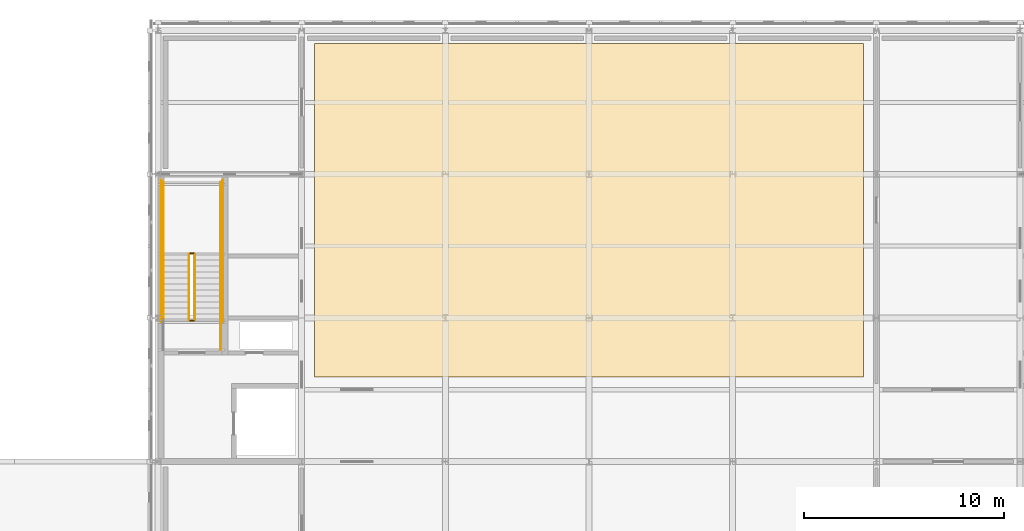
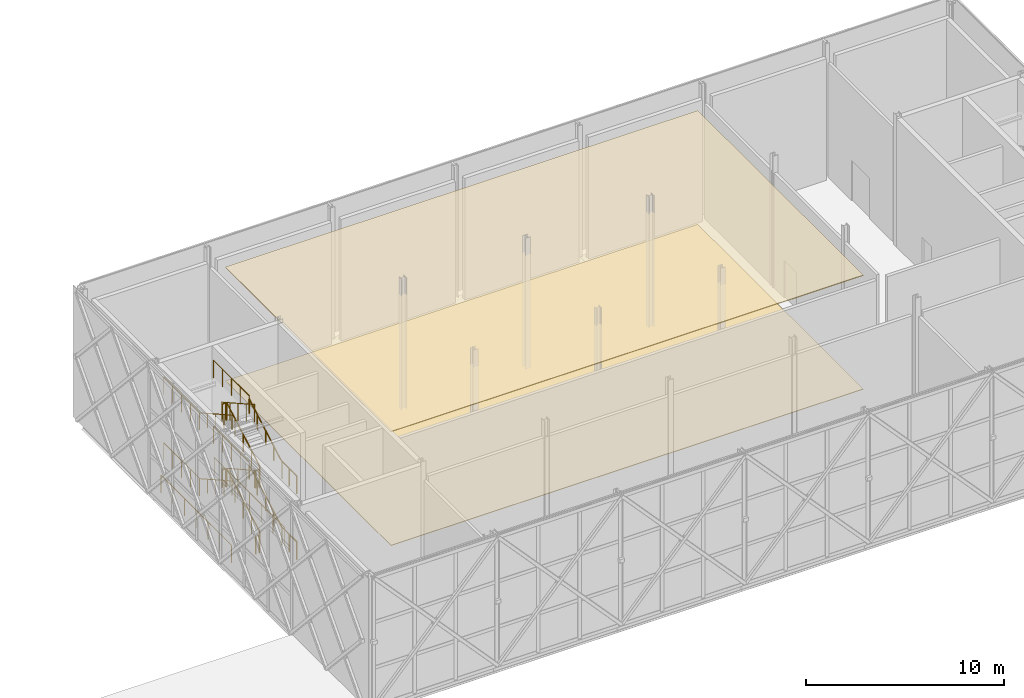
# One storey, part 75 of 76: 20 railings, 2 coverings.
"""IFC4 building model written with IfcOpenShell, lengths in metres."""

from ifc_helpers import new_model, si_unit, direction, frame, origin, origin_2d, place, context, subcontext, project, spatial, polyline, circle, outline, extrude, material, layer, layer_set, type_object, element, save


model = new_model("IFC4")

# Units and contexts
model_context = context("Model", 3, precision=1e-05, world=origin(), true_north=direction((0.0, 1.0)))
body_context = subcontext(model_context, "Body", "Model", "MODEL_VIEW")
ifc_project = project(units=[si_unit("LENGTHUNIT", "METRE"), si_unit("AREAUNIT", "SQUARE_METRE"), si_unit("VOLUMEUNIT", "CUBIC_METRE"), si_unit("PLANEANGLEUNIT", "RADIAN"), si_unit("MASSUNIT", "GRAM", prefix="KILO")], contexts=[model_context])

# Site, building, storey
site_placement = place(None, origin())
site = spatial("IfcSite", under=ifc_project, at=site_placement, CompositionType="ELEMENT")
building_placement = place(site_placement, origin())
building = spatial("IfcBuilding", under=site, at=building_placement, Name="Zlatovets Crest Museum", CompositionType="ELEMENT")
storey_placement = place(building_placement, frame((0.0, 0.0, 17.10009765625)))
storey = spatial("IfcBuildingStorey", under=building, at=storey_placement, Name="L04", CompositionType="ELEMENT", Elevation=17.10009765625)

# Coverings
ifc_material_1 = material(Name="Micro-perforated gypsum acoustic gallery ceiling")
ifc_layer_1 = layer(ifc_material_1, 0.050048828125)
ifc_layer_set_1 = layer_set([ifc_layer_1], Name="Micro-perforated gypsum acoustic gallery ceiling")
covering_type_1 = type_object("IfcCoveringType", Name="GalleryCeiling_CLG1", PredefinedType="CEILING", material=ifc_layer_set_1)
covering_1_placement = place(storey_placement, frame((0.0, 0.0, 6.989990234375)))
element("IfcCovering", 1, at=covering_1_placement, inside=storey, type_object=covering_type_1, Name="Double-Height Grand Sculpture Hall Acoustic Ceiling", PredefinedType="CEILING", context=body_context, shape_type="SweptSolid", body=[
    extrude(outline(polyline([(65.449951171875, 97.85009765625), (92.949951171875, 97.85009765625), (92.949951171875, 114.550048828125), (65.449951171875, 114.550048828125), (65.449951171875, 97.85009765625)])), origin(), (0.0, 0.0, 1.0), 0.0498046875),
])
ifc_material_2 = material(Name="Quarter-sawn European oak herringbone gallery parquet")
ifc_layer_2 = layer(ifc_material_2, 0.030029296875)
ifc_layer_set_2 = layer_set([ifc_layer_2], Name="Quarter-sawn European oak herringbone gallery parquet")
covering_type_2 = type_object("IfcCoveringType", Name="GalleryFloor_FLR1", PredefinedType="FLOORING", material=ifc_layer_set_2)
covering_2_placement = place(storey_placement, origin())
element("IfcCovering", 2, at=covering_2_placement, inside=storey, type_object=covering_type_2, Name="Double-Height Grand Sculpture Hall Floor Finish", PredefinedType="FLOORING", context=body_context, shape_type="SweptSolid", body=[
    extrude(outline(polyline([(65.449951171875, 97.85009765625), (92.949951171875, 97.85009765625), (92.949951171875, 114.550048828125), (65.449951171875, 114.550048828125), (65.449951171875, 97.85009765625)])), origin(), (0.0, 0.0, 1.0), 0.02978515625),
])

# Railings
ifc_material_3 = material(Name="Painted steel safety guardrail", Category="steel")
railing_type_1 = type_object("IfcRailingType", Name="StairGuard_SG01", PredefinedType="GUARDRAIL", material=ifc_material_3)
railing_1_placement = place(storey_placement, frame((59.449951171875, 100.699951171875, 0.168701171875)))
element("IfcRailing", 3, at=railing_1_placement, inside=storey, type_object=railing_type_1, Name="L04 ST1 stair guard 1", PredefinedType="GUARDRAIL", context=body_context, shape_type="SweptSolid", body=[
    extrude(circle(Radius=0.02392578125, at=origin_2d()), frame((0.0, 0.0, 1.076171875), z_axis=(0.0, 0.871584147158, 0.490245932592), x_axis=(-1.0, 0.0, 0.0)), (0.0, 0.0, 1.0), 3.786376953125),
    extrude(circle(Radius=0.02099609375, at=origin_2d()), origin(), (0.0, 0.0, 1.0), 1.052001953125),
    extrude(circle(Radius=0.02099609375, at=origin_2d()), frame((0.0, 0.824951171875, 0.464111328125)), (0.0, 0.0, 1.0), 1.052001953125),
    extrude(circle(Radius=0.02099609375, at=origin_2d()), frame((0.0, 1.64990234375, 0.92822265625)), (0.0, 0.0, 1.0), 1.052001953125),
    extrude(circle(Radius=0.02099609375, at=origin_2d()), frame((0.0, 2.47509765625, 1.39208984375)), (0.0, 0.0, 1.0), 1.052001953125),
    extrude(circle(Radius=0.02099609375, at=origin_2d()), frame((0.0, 3.300048828125, 1.856201171875)), (0.0, 0.0, 1.0), 1.052001953125),
])
railing_2_placement = place(storey_placement, frame((59.39990234375, 104.050048828125, 2.02490234375)))
element("IfcRailing", 4, at=railing_2_placement, inside=storey, type_object=railing_type_1, Name="L04 ST1 stair guard 2", PredefinedType="GUARDRAIL", context=body_context, shape_type="SweptSolid", body=[
    extrude(circle(Radius=0.02392578125, at=origin_2d()), frame((0.0, 0.0, 1.076171875), z_axis=(-1.0, 0.0, 0.0), x_axis=(0.0, -1.0, 0.0)), (0.0, 0.0, 1.0), 0.199951171875),
    extrude(circle(Radius=0.02099609375, at=origin_2d()), origin(), (0.0, 0.0, 1.0), 1.052001953125),
    extrude(circle(Radius=0.02099609375, at=origin_2d()), frame((-0.199951171875, 0.0, 0.0)), (0.0, 0.0, 1.0), 1.052001953125),
])
for number, where, name in (
    (5, (60.75, 104.0, 2.02490234375), "L04 ST1 stair guard 3"),
    (6, (57.85009765625, 104.0, 2.02490234375), "L04 ST1 stair guard 4"),
):
    element("IfcRailing", number, at=place(storey_placement, frame(where)), inside=storey, type_object=railing_type_1, Name=name, PredefinedType="GUARDRAIL", context=body_context, shape_type="SweptSolid", body=[
        extrude(circle(Radius=0.02392578125, at=origin_2d()), frame((0.0, 0.0, 1.076171875), z_axis=(0.0, 1.0, 0.0), x_axis=(-1.0, 0.0, 0.0)), (0.0, 0.0, 1.0), 3.60009765625),
        extrude(circle(Radius=0.02099609375, at=origin_2d()), origin(), (0.0, 0.0, 1.0), 1.052001953125),
        extrude(circle(Radius=0.02099609375, at=origin_2d()), frame((0.0, 0.89990234375, 0.0)), (0.0, 0.0, 1.0), 1.052001953125),
        extrude(circle(Radius=0.02099609375, at=origin_2d()), frame((0.0, 1.800048828125, 0.0)), (0.0, 0.0, 1.0), 1.052001953125),
        extrude(circle(Radius=0.02099609375, at=origin_2d()), frame((0.0, 2.7001953125, 0.0)), (0.0, 0.0, 1.0), 1.052001953125),
        extrude(circle(Radius=0.02099609375, at=origin_2d()), frame((0.0, 3.60009765625, 0.0)), (0.0, 0.0, 1.0), 1.052001953125),
    ])
railing_3_placement = place(storey_placement, frame((59.14990234375, 104.0, 2.193603515625)))
element("IfcRailing", 7, at=railing_3_placement, inside=storey, type_object=railing_type_1, Name="L04 ST1 stair guard 5", PredefinedType="GUARDRAIL", context=body_context, shape_type="SweptSolid", body=[
    extrude(circle(Radius=0.02392578125, at=origin_2d()), frame((0.0, 0.0, 1.076171875), z_axis=(0.0, -0.871584147158, 0.490245932592), x_axis=(1.0, 0.0, 0.0)), (0.0, 0.0, 1.0), 3.786376953125),
    extrude(circle(Radius=0.02099609375, at=origin_2d()), origin(), (0.0, 0.0, 1.0), 1.052001953125),
    extrude(circle(Radius=0.02099609375, at=origin_2d()), frame((0.0, -0.824951171875, 0.464111328125)), (0.0, 0.0, 1.0), 1.052001953125),
    extrude(circle(Radius=0.02099609375, at=origin_2d()), frame((0.0, -1.64990234375, 0.92822265625)), (0.0, 0.0, 1.0), 1.052001953125),
    extrude(circle(Radius=0.02099609375, at=origin_2d()), frame((0.0, -2.47509765625, 1.39208984375)), (0.0, 0.0, 1.0), 1.052001953125),
    extrude(circle(Radius=0.02099609375, at=origin_2d()), frame((0.0, -3.300048828125, 1.856201171875)), (0.0, 0.0, 1.0), 1.052001953125),
])
railing_4_placement = place(storey_placement, frame((59.39990234375, 100.64990234375, 4.0498046875)))
element("IfcRailing", 8, at=railing_4_placement, inside=storey, type_object=railing_type_1, Name="L04 ST1 stair guard 6", PredefinedType="GUARDRAIL", context=body_context, shape_type="SweptSolid", body=[
    extrude(circle(Radius=0.02392578125, at=origin_2d()), frame((0.0, 0.0, 1.076171875), z_axis=(-1.0, 0.0, 0.0), x_axis=(0.0, -1.0, 0.0)), (0.0, 0.0, 1.0), 0.199951171875),
    extrude(circle(Radius=0.02099609375, at=origin_2d()), origin(), (0.0, 0.0, 1.0), 1.052001953125),
    extrude(circle(Radius=0.02099609375, at=origin_2d()), frame((-0.199951171875, 0.0, 0.0)), (0.0, 0.0, 1.0), 1.052001953125),
])
railing_5_placement = place(storey_placement, frame((60.75, 99.199951171875, 4.0498046875)))
element("IfcRailing", 9, at=railing_5_placement, inside=storey, type_object=railing_type_1, Name="L04 ST1 stair guard 7", PredefinedType="GUARDRAIL", context=body_context, shape_type="SweptSolid", body=[
    extrude(circle(Radius=0.02392578125, at=origin_2d()), frame((0.0, 0.0, 1.076171875), z_axis=(0.0, 1.0, 0.0), x_axis=(-1.0, 0.0, 0.0)), (0.0, 0.0, 1.0), 1.5),
    extrude(circle(Radius=0.02099609375, at=origin_2d()), origin(), (0.0, 0.0, 1.0), 1.052001953125),
    extrude(circle(Radius=0.02099609375, at=origin_2d()), frame((0.0, 0.75, 0.0)), (0.0, 0.0, 1.0), 1.052001953125),
    extrude(circle(Radius=0.02099609375, at=origin_2d()), frame((0.0, 1.5, 0.0)), (0.0, 0.0, 1.0), 1.052001953125),
])
railing_6_placement = place(storey_placement, frame((59.449951171875, 100.699951171875, 4.21875)))
element("IfcRailing", 10, at=railing_6_placement, inside=storey, type_object=railing_type_1, Name="L04 ST1 stair guard 9", PredefinedType="GUARDRAIL", context=body_context, shape_type="SweptSolid", body=[
    extrude(circle(Radius=0.02392578125, at=origin_2d()), frame((0.0, 0.0, 1.076171875), z_axis=(0.0, 0.871584147158, 0.490245932592), x_axis=(-1.0, 0.0, 0.0)), (0.0, 0.0, 1.0), 3.786376953125),
    extrude(circle(Radius=0.02099609375, at=origin_2d()), origin(), (0.0, 0.0, 1.0), 1.052001953125),
    extrude(circle(Radius=0.02099609375, at=origin_2d()), frame((0.0, 0.824951171875, 0.464111328125)), (0.0, 0.0, 1.0), 1.052001953125),
    extrude(circle(Radius=0.02099609375, at=origin_2d()), frame((0.0, 1.64990234375, 0.92822265625)), (0.0, 0.0, 1.0), 1.052001953125),
    extrude(circle(Radius=0.02099609375, at=origin_2d()), frame((0.0, 2.47509765625, 1.39208984375)), (0.0, 0.0, 1.0), 1.052001953125),
    extrude(circle(Radius=0.02099609375, at=origin_2d()), frame((0.0, 3.300048828125, 1.856201171875)), (0.0, 0.0, 1.0), 1.052001953125),
])
railing_7_placement = place(storey_placement, frame((59.39990234375, 104.050048828125, 6.074951171875)))
element("IfcRailing", 11, at=railing_7_placement, inside=storey, type_object=railing_type_1, Name="L04 ST1 stair guard 10", PredefinedType="GUARDRAIL", context=body_context, shape_type="SweptSolid", body=[
    extrude(circle(Radius=0.02392578125, at=origin_2d()), frame((0.0, 0.0, 1.076171875), z_axis=(-1.0, 0.0, 0.0), x_axis=(0.0, -1.0, 0.0)), (0.0, 0.0, 1.0), 0.199951171875),
    extrude(circle(Radius=0.02099609375, at=origin_2d()), origin(), (0.0, 0.0, 1.0), 1.052001953125),
    extrude(circle(Radius=0.02099609375, at=origin_2d()), frame((-0.199951171875, 0.0, 0.0)), (0.0, 0.0, 1.0), 1.052001953125),
])
for number, where, name in (
    (12, (60.75, 104.0, 6.074951171875), "L04 ST1 stair guard 11"),
    (13, (57.85009765625, 104.0, 6.074951171875), "L04 ST1 stair guard 12"),
):
    element("IfcRailing", number, at=place(storey_placement, frame(where)), inside=storey, type_object=railing_type_1, Name=name, PredefinedType="GUARDRAIL", context=body_context, shape_type="SweptSolid", body=[
        extrude(circle(Radius=0.02392578125, at=origin_2d()), frame((0.0, 0.0, 1.076171875), z_axis=(0.0, 1.0, 0.0), x_axis=(-1.0, 0.0, 0.0)), (0.0, 0.0, 1.0), 3.60009765625),
        extrude(circle(Radius=0.02099609375, at=origin_2d()), origin(), (0.0, 0.0, 1.0), 1.052001953125),
        extrude(circle(Radius=0.02099609375, at=origin_2d()), frame((0.0, 0.89990234375, 0.0)), (0.0, 0.0, 1.0), 1.052001953125),
        extrude(circle(Radius=0.02099609375, at=origin_2d()), frame((0.0, 1.800048828125, 0.0)), (0.0, 0.0, 1.0), 1.052001953125),
        extrude(circle(Radius=0.02099609375, at=origin_2d()), frame((0.0, 2.7001953125, 0.0)), (0.0, 0.0, 1.0), 1.052001953125),
        extrude(circle(Radius=0.02099609375, at=origin_2d()), frame((0.0, 3.60009765625, 0.0)), (0.0, 0.0, 1.0), 1.052001953125),
    ])
railing_8_placement = place(storey_placement, frame((59.14990234375, 104.0, 6.24365234375)))
element("IfcRailing", 14, at=railing_8_placement, inside=storey, type_object=railing_type_1, Name="L04 ST1 stair guard 13", PredefinedType="GUARDRAIL", context=body_context, shape_type="SweptSolid", body=[
    extrude(circle(Radius=0.02392578125, at=origin_2d()), frame((0.0, 0.0, 1.076171875), z_axis=(0.0, -0.871584147158, 0.490245932592), x_axis=(1.0, 0.0, 0.0)), (0.0, 0.0, 1.0), 3.786376953125),
    extrude(circle(Radius=0.02099609375, at=origin_2d()), origin(), (0.0, 0.0, 1.0), 1.052001953125),
    extrude(circle(Radius=0.02099609375, at=origin_2d()), frame((0.0, -0.824951171875, 0.464111328125)), (0.0, 0.0, 1.0), 1.052001953125),
    extrude(circle(Radius=0.02099609375, at=origin_2d()), frame((0.0, -1.64990234375, 0.92822265625)), (0.0, 0.0, 1.0), 1.052001953125),
    extrude(circle(Radius=0.02099609375, at=origin_2d()), frame((0.0, -2.47509765625, 1.39208984375)), (0.0, 0.0, 1.0), 1.052001953125),
    extrude(circle(Radius=0.02099609375, at=origin_2d()), frame((0.0, -3.300048828125, 1.856201171875)), (0.0, 0.0, 1.0), 1.052001953125),
])
railing_9_placement = place(storey_placement, frame((59.39990234375, 100.64990234375, 0.0)))
element("IfcRailing", 15, at=railing_9_placement, inside=storey, type_object=railing_type_1, Name="L04 ST1 stair guard 14", PredefinedType="GUARDRAIL", context=body_context, shape_type="SweptSolid", body=[
    extrude(circle(Radius=0.02392578125, at=origin_2d()), frame((0.0, 0.0, 1.076171875), z_axis=(-1.0, 0.0, 0.0), x_axis=(0.0, -1.0, 0.0)), (0.0, 0.0, 1.0), 0.199951171875),
    extrude(circle(Radius=0.02099609375, at=origin_2d()), origin(), (0.0, 0.0, 1.0), 1.052001953125),
    extrude(circle(Radius=0.02099609375, at=origin_2d()), frame((-0.199951171875, 0.0, 0.0)), (0.0, 0.0, 1.0), 1.052001953125),
])
railing_10_placement = place(storey_placement, frame((60.75, 99.199951171875, 0.0)))
element("IfcRailing", 16, at=railing_10_placement, inside=storey, type_object=railing_type_1, Name="L04 ST1 stair guard 15", PredefinedType="GUARDRAIL", context=body_context, shape_type="SweptSolid", body=[
    extrude(circle(Radius=0.02392578125, at=origin_2d()), frame((0.0, 0.0, 1.076171875), z_axis=(0.0, 1.0, 0.0), x_axis=(-1.0, 0.0, 0.0)), (0.0, 0.0, 1.0), 1.5),
    extrude(circle(Radius=0.02099609375, at=origin_2d()), origin(), (0.0, 0.0, 1.0), 1.052001953125),
    extrude(circle(Radius=0.02099609375, at=origin_2d()), frame((0.0, 0.75, 0.0)), (0.0, 0.0, 1.0), 1.052001953125),
    extrude(circle(Radius=0.02099609375, at=origin_2d()), frame((0.0, 1.5, 0.0)), (0.0, 0.0, 1.0), 1.052001953125),
])
for number, where, name in (
    (17, (60.85009765625, 100.60009765625, 0.0), "L04 ST1 stair guard 17"),
    (18, (57.75, 100.60009765625, 0.0), "L04 ST1 stair guard 18"),
):
    element("IfcRailing", number, at=place(storey_placement, frame(where)), inside=storey, type_object=railing_type_1, Name=name, PredefinedType="GUARDRAIL", context=body_context, shape_type="SweptSolid", body=[
        extrude(circle(Radius=0.02392578125, at=origin_2d()), frame((0.0, 0.0, 1.076171875), z_axis=(0.0, 1.0, 0.0), x_axis=(-1.0, 0.0, 0.0)), (0.0, 0.0, 1.0), 7.099853515625),
        extrude(circle(Radius=0.02099609375, at=origin_2d()), origin(), (0.0, 0.0, 1.0), 1.052001953125),
        extrude(circle(Radius=0.02099609375, at=origin_2d()), frame((0.0, 1.183349609375, 0.0)), (0.0, 0.0, 1.0), 1.052001953125),
        extrude(circle(Radius=0.02099609375, at=origin_2d()), frame((0.0, 2.36669921875, 0.0)), (0.0, 0.0, 1.0), 1.052001953125),
        extrude(circle(Radius=0.02099609375, at=origin_2d()), frame((0.0, 3.5498046875, 0.0)), (0.0, 0.0, 1.0), 1.052001953125),
        extrude(circle(Radius=0.02099609375, at=origin_2d()), frame((0.0, 4.733154296875, 0.0)), (0.0, 0.0, 1.0), 1.052001953125),
        extrude(circle(Radius=0.02099609375, at=origin_2d()), frame((0.0, 5.91650390625, 0.0)), (0.0, 0.0, 1.0), 1.052001953125),
        extrude(circle(Radius=0.02099609375, at=origin_2d()), frame((0.0, 7.099853515625, 0.0)), (0.0, 0.0, 1.0), 1.052001953125),
    ])
ifc_material_4 = material(Name="Brushed bronze stair handrail")
railing_type_2 = type_object("IfcRailingType", Name="StairHandrail_SH01", PredefinedType="HANDRAIL", material=ifc_material_4)
railing_11_placement = place(storey_placement, frame((60.75, 100.699951171875, 0.168701171875)))
element("IfcRailing", 19, at=railing_11_placement, inside=storey, type_object=railing_type_2, Name="L04 ST1 stair handrail 1", PredefinedType="HANDRAIL", context=body_context, shape_type="SweptSolid", body=[
    extrude(circle(Radius=0.02392578125, at=origin_2d()), frame((0.0, 0.0, 0.8759765625), z_axis=(0.0, 0.871584147158, 0.490245932592), x_axis=(-1.0, 0.0, 0.0)), (0.0, 0.0, 1.0), 3.786376953125),
    extrude(circle(Radius=0.02099609375, at=origin_2d()), origin(), (0.0, 0.0, 1.0), 0.851806640625),
    extrude(circle(Radius=0.02099609375, at=origin_2d()), frame((0.0, 0.824951171875, 0.464111328125)), (0.0, 0.0, 1.0), 0.851806640625),
    extrude(circle(Radius=0.02099609375, at=origin_2d()), frame((0.0, 1.64990234375, 0.92822265625)), (0.0, 0.0, 1.0), 0.851806640625),
    extrude(circle(Radius=0.02099609375, at=origin_2d()), frame((0.0, 2.47509765625, 1.39208984375)), (0.0, 0.0, 1.0), 0.851806640625),
    extrude(circle(Radius=0.02099609375, at=origin_2d()), frame((0.0, 3.300048828125, 1.856201171875)), (0.0, 0.0, 1.0), 0.851806640625),
])
railing_12_placement = place(storey_placement, frame((57.85009765625, 104.0, 2.193603515625)))
element("IfcRailing", 20, at=railing_12_placement, inside=storey, type_object=railing_type_2, Name="L04 ST1 stair handrail 2", PredefinedType="HANDRAIL", context=body_context, shape_type="SweptSolid", body=[
    extrude(circle(Radius=0.02392578125, at=origin_2d()), frame((0.0, 0.0, 0.8759765625), z_axis=(0.0, -0.871584147158, 0.490245932592), x_axis=(1.0, 0.0, 0.0)), (0.0, 0.0, 1.0), 3.786376953125),
    extrude(circle(Radius=0.02099609375, at=origin_2d()), origin(), (0.0, 0.0, 1.0), 0.851806640625),
    extrude(circle(Radius=0.02099609375, at=origin_2d()), frame((0.0, -0.824951171875, 0.464111328125)), (0.0, 0.0, 1.0), 0.851806640625),
    extrude(circle(Radius=0.02099609375, at=origin_2d()), frame((0.0, -1.64990234375, 0.92822265625)), (0.0, 0.0, 1.0), 0.851806640625),
    extrude(circle(Radius=0.02099609375, at=origin_2d()), frame((0.0, -2.47509765625, 1.39208984375)), (0.0, 0.0, 1.0), 0.851806640625),
    extrude(circle(Radius=0.02099609375, at=origin_2d()), frame((0.0, -3.300048828125, 1.856201171875)), (0.0, 0.0, 1.0), 0.851806640625),
])
railing_13_placement = place(storey_placement, frame((60.75, 100.699951171875, 4.21875)))
element("IfcRailing", 21, at=railing_13_placement, inside=storey, type_object=railing_type_2, Name="L04 ST1 stair handrail 3", PredefinedType="HANDRAIL", context=body_context, shape_type="SweptSolid", body=[
    extrude(circle(Radius=0.02392578125, at=origin_2d()), frame((0.0, 0.0, 0.8759765625), z_axis=(0.0, 0.871584147158, 0.490245932592), x_axis=(-1.0, 0.0, 0.0)), (0.0, 0.0, 1.0), 3.786376953125),
    extrude(circle(Radius=0.02099609375, at=origin_2d()), origin(), (0.0, 0.0, 1.0), 0.851806640625),
    extrude(circle(Radius=0.02099609375, at=origin_2d()), frame((0.0, 0.824951171875, 0.464111328125)), (0.0, 0.0, 1.0), 0.851806640625),
    extrude(circle(Radius=0.02099609375, at=origin_2d()), frame((0.0, 1.64990234375, 0.92822265625)), (0.0, 0.0, 1.0), 0.851806640625),
    extrude(circle(Radius=0.02099609375, at=origin_2d()), frame((0.0, 2.47509765625, 1.39208984375)), (0.0, 0.0, 1.0), 0.851806640625),
    extrude(circle(Radius=0.02099609375, at=origin_2d()), frame((0.0, 3.300048828125, 1.856201171875)), (0.0, 0.0, 1.0), 0.851806640625),
])
railing_14_placement = place(storey_placement, frame((57.85009765625, 104.0, 6.24365234375)))
element("IfcRailing", 22, at=railing_14_placement, inside=storey, type_object=railing_type_2, Name="L04 ST1 stair handrail 4", PredefinedType="HANDRAIL", context=body_context, shape_type="SweptSolid", body=[
    extrude(circle(Radius=0.02392578125, at=origin_2d()), frame((0.0, 0.0, 0.8759765625), z_axis=(0.0, -0.871584147158, 0.490245932592), x_axis=(1.0, 0.0, 0.0)), (0.0, 0.0, 1.0), 3.786376953125),
    extrude(circle(Radius=0.02099609375, at=origin_2d()), origin(), (0.0, 0.0, 1.0), 0.851806640625),
    extrude(circle(Radius=0.02099609375, at=origin_2d()), frame((0.0, -0.824951171875, 0.464111328125)), (0.0, 0.0, 1.0), 0.851806640625),
    extrude(circle(Radius=0.02099609375, at=origin_2d()), frame((0.0, -1.64990234375, 0.92822265625)), (0.0, 0.0, 1.0), 0.851806640625),
    extrude(circle(Radius=0.02099609375, at=origin_2d()), frame((0.0, -2.47509765625, 1.39208984375)), (0.0, 0.0, 1.0), 0.851806640625),
    extrude(circle(Radius=0.02099609375, at=origin_2d()), frame((0.0, -3.300048828125, 1.856201171875)), (0.0, 0.0, 1.0), 0.851806640625),
])

save(model, "model.ifc")
